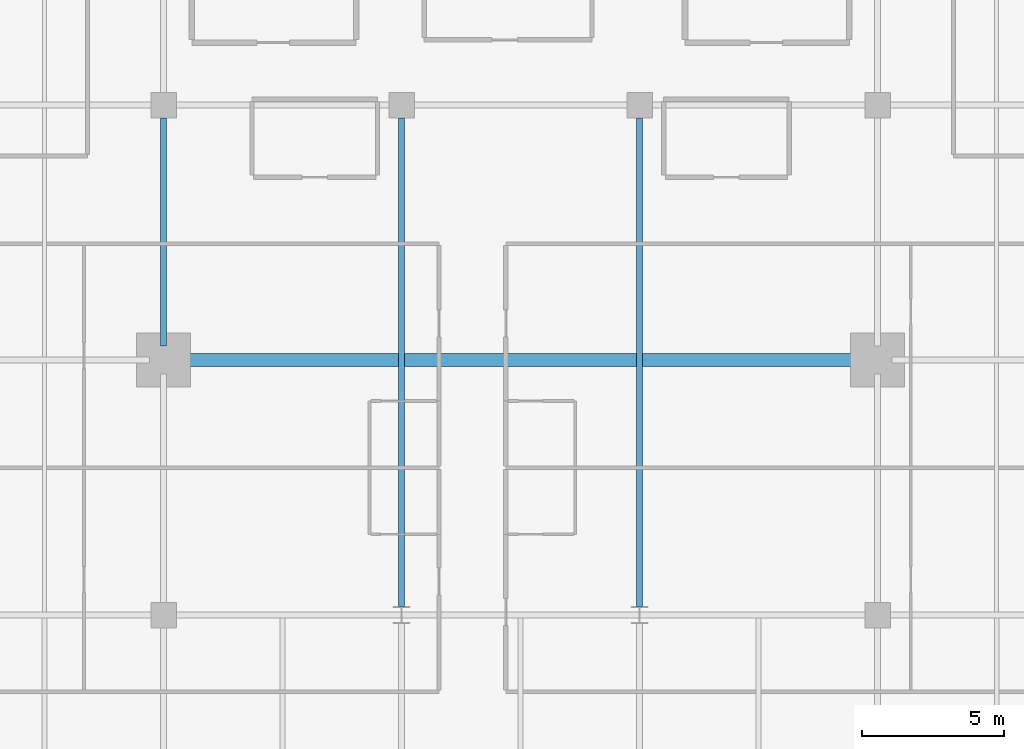
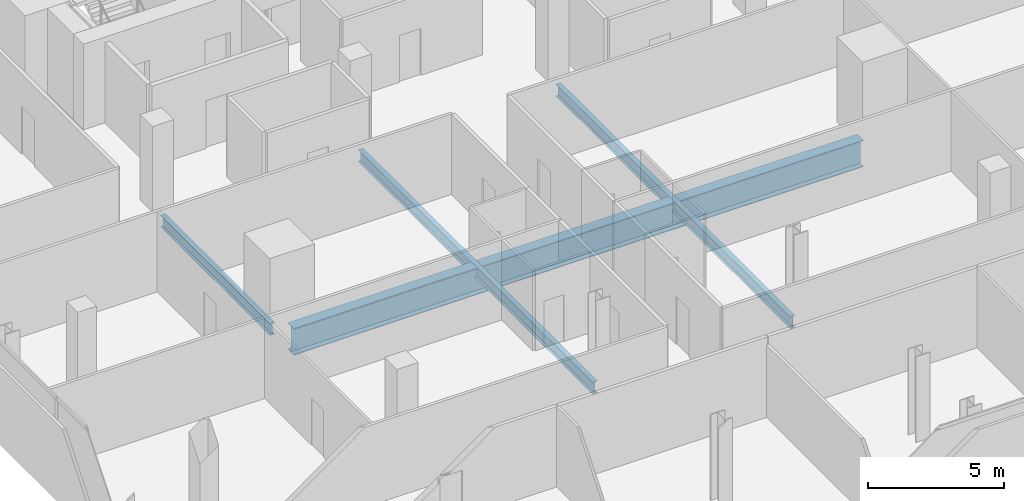
# One storey, part 11 of 32: 4 beams.
"""IFC4 building model written with IfcOpenShell, lengths in metres."""

from ifc_helpers import new_model, si_unit, direction, frame, origin, origin_2d, place, context, subcontext, project, spatial, i_section, extrude, material, material_profile, profile_set, type_object, element, save


model = new_model("IFC4")

# Units and contexts
model_context = context("Model", 3, precision=1e-05, world=origin(), true_north=direction((0.0, 1.0)))
body_context = subcontext(model_context, "Body", "Model", "MODEL_VIEW")
ifc_project = project(units=[si_unit("LENGTHUNIT", "METRE"), si_unit("AREAUNIT", "SQUARE_METRE"), si_unit("VOLUMEUNIT", "CUBIC_METRE"), si_unit("PLANEANGLEUNIT", "RADIAN"), si_unit("MASSUNIT", "GRAM", prefix="KILO")], contexts=[model_context])

# Site, building, storey
site_placement = place(None, origin())
site = spatial("IfcSite", under=ifc_project, at=site_placement, CompositionType="ELEMENT")
building_placement = place(site_placement, origin())
building = spatial("IfcBuilding", under=site, at=building_placement, Name="Maruvema Waterfront Hotel and Observation Tower", CompositionType="ELEMENT")
storey_placement = place(building_placement, frame((0.0, 0.0, 219.800048828125)))
storey = spatial("IfcBuildingStorey", under=building, at=storey_placement, Name="L54", CompositionType="ELEMENT", Elevation=219.800048828125)

# Beams
ifc_material_1 = material(Name="Steel ASTM A572 Grade 50", Category="steel")
ifc_material_profile_1 = material_profile(ifc_material_1, i_section(OverallWidth=0.2109375, OverallDepth=0.5390625, WebThickness=0.01171875, FlangeThickness=0.018798828125, FilletRadius=0.014892578125, at=origin_2d()), Name="W530x109.0")
ifc_profile_set_1 = profile_set([ifc_material_profile_1], Name="Steel ASTM A572 Grade 50")
beam_type_1 = type_object("IfcBeamType", Name="Primary Floor Girder W530x109.0", PredefinedType="BEAM", material=ifc_profile_set_1)
beam_1_placement = place(storey_placement, frame((25.199951171875, 27.5, -0.509521484375), z_axis=(0.0, 1.0, 0.0), x_axis=(-1.0, 0.0, 0.0)))
element("IfcBeam", 1, at=beam_1_placement, inside=storey, type_object=beam_type_1, Name="L54 Floor Girder NS-12", PredefinedType="BEAM", context=body_context, shape_type="SweptSolid", body=[
    extrude(i_section(OverallWidth=0.2109375, OverallDepth=0.5390625, WebThickness=0.01171875, FlangeThickness=0.018798828125, FilletRadius=0.014892578125, at=origin_2d()), origin(), (0.0, 0.0, 1.0), 8.050048828125),
])
for number, where, z_axis, x_axis, name in (
    (2, (33.60009765625, 18.300048828125, -0.509521484375), (0.0, 1.0, 0.0), (-1.0, 0.0, 0.0), "L54 Floor Girder NS-16"),
    (3, (42.0, 18.300048828125, -0.509521484375), (0.0, 1.0, 0.0), (-1.0, 0.0, 0.0), "L54 Floor Girder NS-19"),
):
    element("IfcBeam", number, at=place(storey_placement, frame(where, z_axis=z_axis, x_axis=x_axis)), inside=storey, type_object=beam_type_1, Name=name, PredefinedType="BEAM", context=body_context, shape_type="SweptSolid", body=[
        extrude(i_section(OverallWidth=0.2109375, OverallDepth=0.5390625, WebThickness=0.01171875, FlangeThickness=0.018798828125, FilletRadius=0.014892578125, at=origin_2d()), origin(), (0.0, 0.0, 1.0), 17.25),
    ])
ifc_material_2 = material(Name="Steel ABNT NBR 7007 AR 415 (ASTM A572 Grade 50)", Category="steel")
ifc_material_profile_2 = material_profile(ifc_material_2, i_section(OverallWidth=0.449951171875, OverallDepth=1.199951171875, WebThickness=0.01904296875, FlangeThickness=0.031982421875, at=origin_2d()), Name="VS1200x366")
ifc_profile_set_2 = profile_set([ifc_material_profile_2], Name="Steel ABNT NBR 7007 AR 415 (ASTM A572 Grade 50)")
beam_type_2 = type_object("IfcBeamType", Name="Upper Setback Transfer Girder VS1200x366", PredefinedType="USERDEFINED", material=ifc_profile_set_2)
beam_2_placement = place(storey_placement, frame((25.699951171875, 27.0, -0.840087890625), z_axis=(1.0, 0.0, 0.0), x_axis=(0.0, 1.0, 0.0)))
element("IfcBeam", 4, at=beam_2_placement, inside=storey, type_object=beam_type_2, Name="L54 Floor Girder EW-20", ObjectType="TRANSFER GIRDER", PredefinedType="USERDEFINED", context=body_context, shape_type="SweptSolid", body=[
    extrude(i_section(OverallWidth=0.449951171875, OverallDepth=1.199951171875, WebThickness=0.01904296875, FlangeThickness=0.031982421875, at=origin_2d()), origin(), (0.0, 0.0, 1.0), 24.199951171875),
])

save(model, "model.ifc")
